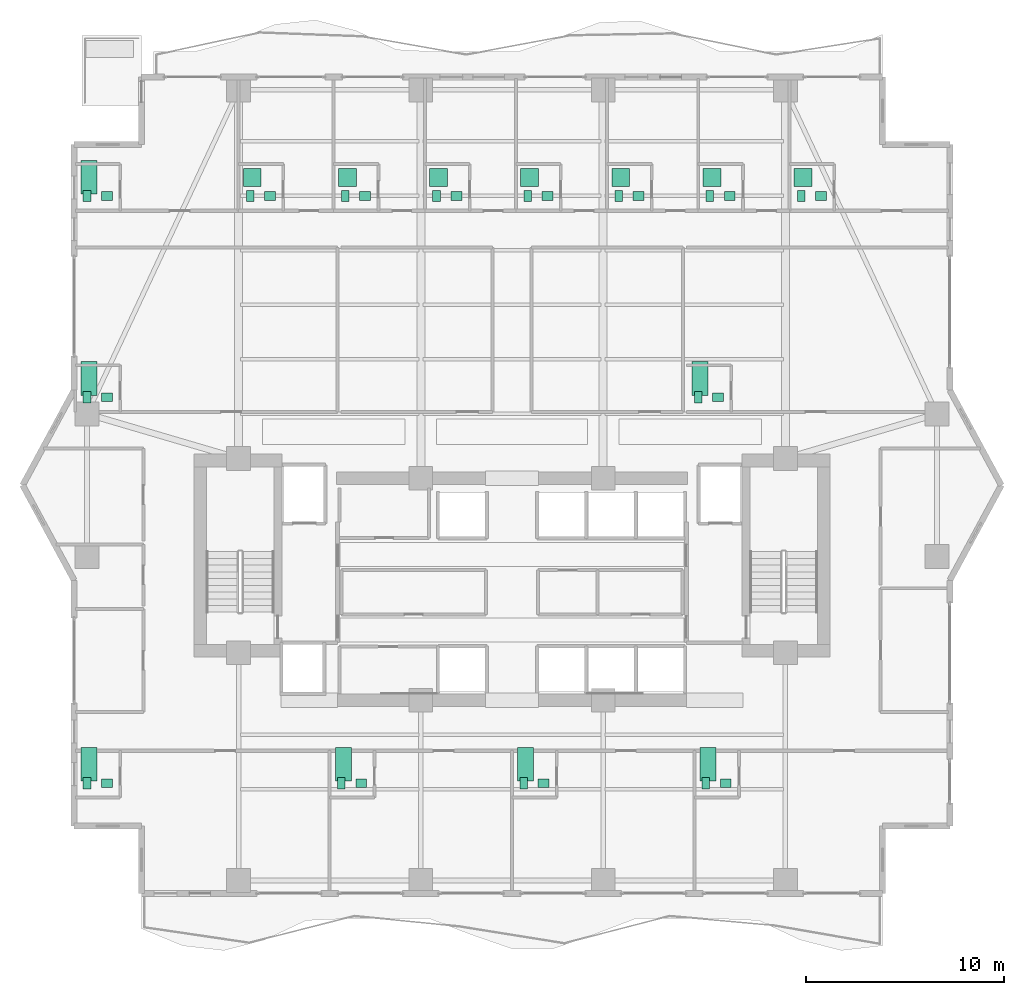
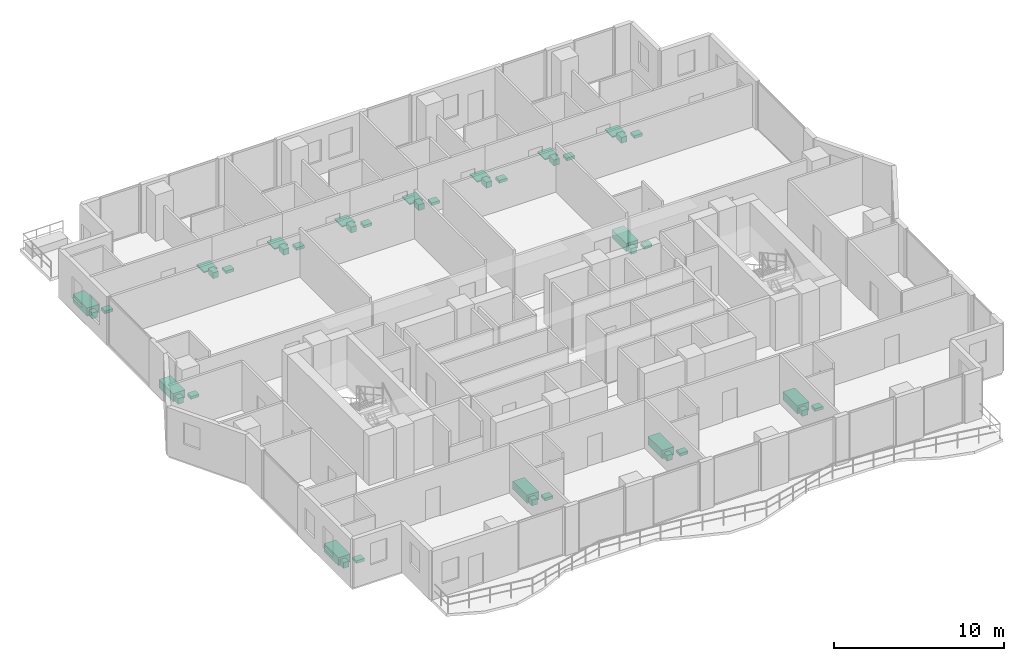
# One storey, part 33 of 33: 42 sanitary terminals.
"""IFC4 building model written with IfcOpenShell, lengths in metres."""

from ifc_helpers import new_model, si_unit, direction, frame, origin, origin_2d, place, context, subcontext, project, spatial, rectangle, extrude, material, type_object, element, save


model = new_model("IFC4")

# Units and contexts
model_context = context("Model", 3, precision=1e-05, world=origin(), true_north=direction((0.0, 1.0)))
body_context = subcontext(model_context, "Body", "Model", "MODEL_VIEW")
ifc_project = project(units=[si_unit("LENGTHUNIT", "METRE"), si_unit("AREAUNIT", "SQUARE_METRE"), si_unit("VOLUMEUNIT", "CUBIC_METRE"), si_unit("PLANEANGLEUNIT", "RADIAN"), si_unit("MASSUNIT", "GRAM", prefix="KILO")], contexts=[model_context])

# Site, building, storey
site_placement = place(None, origin())
site = spatial("IfcSite", under=ifc_project, at=site_placement, CompositionType="ELEMENT")
building_placement = place(site_placement, origin())
building = spatial("IfcBuilding", under=site, at=building_placement, Name="Zuhayl Quay Hotel", CompositionType="ELEMENT")
storey_placement = place(building_placement, frame((0.0, 0.0, 229.89990234375)))
storey = spatial("IfcBuildingStorey", under=building, at=storey_placement, Name="L58", CompositionType="ELEMENT", Elevation=229.89990234375)

# Sanitary terminals
ifc_material = material(Name="Vitreous Porcelain Sanitaryware")
sanitary_terminal_type_1 = type_object("IfcSanitaryTerminalType", Name="SAN_BASIN", PredefinedType="WASHHANDBASIN", material=ifc_material)
for number, where, z_axis, x_axis, name in (
    (1, (-20.449951171875, 27.590087890625, 0.0), (0.0, 0.0, 1.0), (1.0, 0.0, 0.0), "L58 Sanitary Fixture WASHHANDBASIN"),
    (2, (-12.2099609375, 27.590087890625, 0.0), (0.0, 0.0, 1.0), (1.0, 0.0, 0.0), "L58 Sanitary Fixture WASHHANDBASIN"),
    (3, (-7.409912109375, 27.590087890625, 0.0), (0.0, 0.0, 1.0), (1.0, 0.0, 0.0), "L58 Sanitary Fixture WASHHANDBASIN"),
    (4, (-2.81005859375, 27.590087890625, 0.0), (0.0, 0.0, 1.0), (1.0, 0.0, 0.0), "L58 Sanitary Fixture WASHHANDBASIN"),
    (5, (1.7900390625, 27.590087890625, 0.0), (0.0, 0.0, 1.0), (1.0, 0.0, 0.0), "L58 Sanitary Fixture WASHHANDBASIN"),
    (6, (6.389892578125, 27.590087890625, 0.0), (0.0, 0.0, 1.0), (1.0, 0.0, 0.0), "L58 Sanitary Fixture WASHHANDBASIN"),
    (7, (10.989990234375, 27.590087890625, 0.0), (0.0, 0.0, 1.0), (1.0, 0.0, 0.0), "L58 Sanitary Fixture WASHHANDBASIN"),
    (8, (15.590087890625, 27.590087890625, 0.0), (0.0, 0.0, 1.0), (1.0, 0.0, 0.0), "L58 Sanitary Fixture WASHHANDBASIN"),
    (9, (-20.449951171875, 17.43994140625, 0.0), (0.0, 0.0, 1.0), (1.0, 0.0, 0.0), "L58 Sanitary Fixture WASHHANDBASIN"),
    (10, (10.389892578125, 17.43994140625, 0.0), (0.0, 0.0, 1.0), (1.0, 0.0, 0.0), "L58 Sanitary Fixture WASHHANDBASIN"),
    (11, (-20.449951171875, -2.0400390625, 0.0), (0.0, 0.0, 1.0), (1.0, 0.0, 0.0), "L58 Sanitary Fixture WASHHANDBASIN"),
    (12, (-7.610107421875, -2.0400390625, 0.0), (0.0, 0.0, 1.0), (1.0, 0.0, 0.0), "L58 Sanitary Fixture WASHHANDBASIN"),
    (13, (1.590087890625, -2.0400390625, 0.0), (0.0, 0.0, 1.0), (1.0, 0.0, 0.0), "L58 Sanitary Fixture WASHHANDBASIN"),
    (14, (10.7900390625, -2.0400390625, 0.0), (0.0, 0.0, 1.0), (1.0, 0.0, 0.0), "L58 Sanitary Fixture WASHHANDBASIN"),
):
    element("IfcSanitaryTerminal", number, at=place(storey_placement, frame(where, z_axis=z_axis, x_axis=x_axis)), inside=storey, type_object=sanitary_terminal_type_1, Name=name, PredefinedType="WASHHANDBASIN", context=body_context, shape_type="SweptSolid", body=[
        extrude(rectangle(XDim=0.550048828125, YDim=0.449951171875, at=origin_2d()), origin(), (0.0, 0.0, 1.0), 0.199951171875),
    ])
sanitary_terminal_type_2 = type_object("IfcSanitaryTerminalType", Name="SAN_BATH", PredefinedType="BATH", material=ifc_material)
for number, where, z_axis, x_axis, name in (
    (15, (-21.35009765625, 28.5400390625, 0.0), (0.0, 0.0, 1.0), (1.0, 0.0, 0.0), "L58 Sanitary Fixture BATH"),
    (16, (-21.35009765625, 18.389892578125, 0.0), (0.0, 0.0, 1.0), (1.0, 0.0, 0.0), "L58 Sanitary Fixture BATH"),
    (17, (9.489990234375, 18.389892578125, 0.0), (0.0, 0.0, 1.0), (1.0, 0.0, 0.0), "L58 Sanitary Fixture BATH"),
    (18, (-21.35009765625, -1.090087890625, 0.0), (0.0, 0.0, 1.0), (1.0, 0.0, 0.0), "L58 Sanitary Fixture BATH"),
    (19, (-8.510009765625, -1.090087890625, 0.0), (0.0, 0.0, 1.0), (1.0, 0.0, 0.0), "L58 Sanitary Fixture BATH"),
    (20, (0.68994140625, -1.090087890625, 0.0), (0.0, 0.0, 1.0), (1.0, 0.0, 0.0), "L58 Sanitary Fixture BATH"),
    (21, (9.889892578125, -1.090087890625, 0.0), (0.0, 0.0, 1.0), (1.0, 0.0, 0.0), "L58 Sanitary Fixture BATH"),
):
    element("IfcSanitaryTerminal", number, at=place(storey_placement, frame(where, z_axis=z_axis, x_axis=x_axis)), inside=storey, type_object=sanitary_terminal_type_2, Name=name, PredefinedType="BATH", context=body_context, shape_type="SweptSolid", body=[
        extrude(rectangle(XDim=0.800048828125, YDim=1.699951171875, at=origin_2d()), origin(), (0.0, 0.0, 1.0), 0.580078125),
    ])
sanitary_terminal_type_3 = type_object("IfcSanitaryTerminalType", Name="SAN_SHOWER", PredefinedType="SHOWER", material=ifc_material)
for number, where, z_axis, x_axis, name in (
    (22, (-13.110107421875, 28.5400390625, 0.0), (0.0, 0.0, 1.0), (1.0, 0.0, 0.0), "L58 Sanitary Fixture SHOWER"),
    (23, (-8.31005859375, 28.5400390625, 0.0), (0.0, 0.0, 1.0), (1.0, 0.0, 0.0), "L58 Sanitary Fixture SHOWER"),
    (24, (-3.7099609375, 28.5400390625, 0.0), (0.0, 0.0, 1.0), (1.0, 0.0, 0.0), "L58 Sanitary Fixture SHOWER"),
    (25, (0.889892578125, 28.5400390625, 0.0), (0.0, 0.0, 1.0), (1.0, 0.0, 0.0), "L58 Sanitary Fixture SHOWER"),
    (26, (5.489990234375, 28.5400390625, 0.0), (0.0, 0.0, 1.0), (1.0, 0.0, 0.0), "L58 Sanitary Fixture SHOWER"),
    (27, (10.090087890625, 28.5400390625, 0.0), (0.0, 0.0, 1.0), (1.0, 0.0, 0.0), "L58 Sanitary Fixture SHOWER"),
    (28, (14.68994140625, 28.5400390625, 0.0), (0.0, 0.0, 1.0), (1.0, 0.0, 0.0), "L58 Sanitary Fixture SHOWER"),
):
    element("IfcSanitaryTerminal", number, at=place(storey_placement, frame(where, z_axis=z_axis, x_axis=x_axis)), inside=storey, type_object=sanitary_terminal_type_3, Name=name, PredefinedType="SHOWER", context=body_context, shape_type="SweptSolid", body=[
        extrude(rectangle(XDim=0.89990234375, YDim=0.89990234375, at=origin_2d()), origin(), (0.0, 0.0, 1.0), 0.080078125),
    ])
sanitary_terminal_type_4 = type_object("IfcSanitaryTerminalType", Name="SAN_WC", PredefinedType="TOILETPAN", material=ifc_material)
for number, where, z_axis, x_axis, name in (
    (29, (-21.449951171875, 27.590087890625, 0.000244140625), (0.0, 0.0, 1.0), (1.0, 0.0, 0.0), "L58 Sanitary Fixture TOILETPAN"),
    (30, (-13.2099609375, 27.590087890625, 0.000244140625), (0.0, 0.0, 1.0), (1.0, 0.0, 0.0), "L58 Sanitary Fixture TOILETPAN"),
    (31, (-8.409912109375, 27.590087890625, 0.000244140625), (0.0, 0.0, 1.0), (1.0, 0.0, 0.0), "L58 Sanitary Fixture TOILETPAN"),
    (32, (-3.81005859375, 27.590087890625, 0.000244140625), (0.0, 0.0, 1.0), (1.0, 0.0, 0.0), "L58 Sanitary Fixture TOILETPAN"),
    (33, (0.7900390625, 27.590087890625, 0.000244140625), (0.0, 0.0, 1.0), (1.0, 0.0, 0.0), "L58 Sanitary Fixture TOILETPAN"),
    (34, (5.389892578125, 27.590087890625, 0.000244140625), (0.0, 0.0, 1.0), (1.0, 0.0, 0.0), "L58 Sanitary Fixture TOILETPAN"),
    (35, (9.989990234375, 27.590087890625, 0.000244140625), (0.0, 0.0, 1.0), (1.0, 0.0, 0.0), "L58 Sanitary Fixture TOILETPAN"),
    (36, (14.590087890625, 27.590087890625, 0.000244140625), (0.0, 0.0, 1.0), (1.0, 0.0, 0.0), "L58 Sanitary Fixture TOILETPAN"),
    (37, (-21.449951171875, 17.43994140625, 0.000244140625), (0.0, 0.0, 1.0), (1.0, 0.0, 0.0), "L58 Sanitary Fixture TOILETPAN"),
    (38, (9.389892578125, 17.43994140625, 0.000244140625), (0.0, 0.0, 1.0), (1.0, 0.0, 0.0), "L58 Sanitary Fixture TOILETPAN"),
    (39, (-21.449951171875, -2.0400390625, 0.000244140625), (0.0, 0.0, 1.0), (1.0, 0.0, 0.0), "L58 Sanitary Fixture TOILETPAN"),
    (40, (-8.610107421875, -2.0400390625, 0.000244140625), (0.0, 0.0, 1.0), (1.0, 0.0, 0.0), "L58 Sanitary Fixture TOILETPAN"),
    (41, (0.590087890625, -2.0400390625, 0.000244140625), (0.0, 0.0, 1.0), (1.0, 0.0, 0.0), "L58 Sanitary Fixture TOILETPAN"),
    (42, (9.7900390625, -2.0400390625, 0.000244140625), (0.0, 0.0, 1.0), (1.0, 0.0, 0.0), "L58 Sanitary Fixture TOILETPAN"),
):
    element("IfcSanitaryTerminal", number, at=place(storey_placement, frame(where, z_axis=z_axis, x_axis=x_axis)), inside=storey, type_object=sanitary_terminal_type_4, Name=name, PredefinedType="TOILETPAN", context=body_context, shape_type="SweptSolid", body=[
        extrude(rectangle(XDim=0.3798828125, YDim=0.56005859375, at=origin_2d()), origin(), (0.0, 0.0, 1.0), 0.419921875),
    ])

save(model, "model.ifc")
